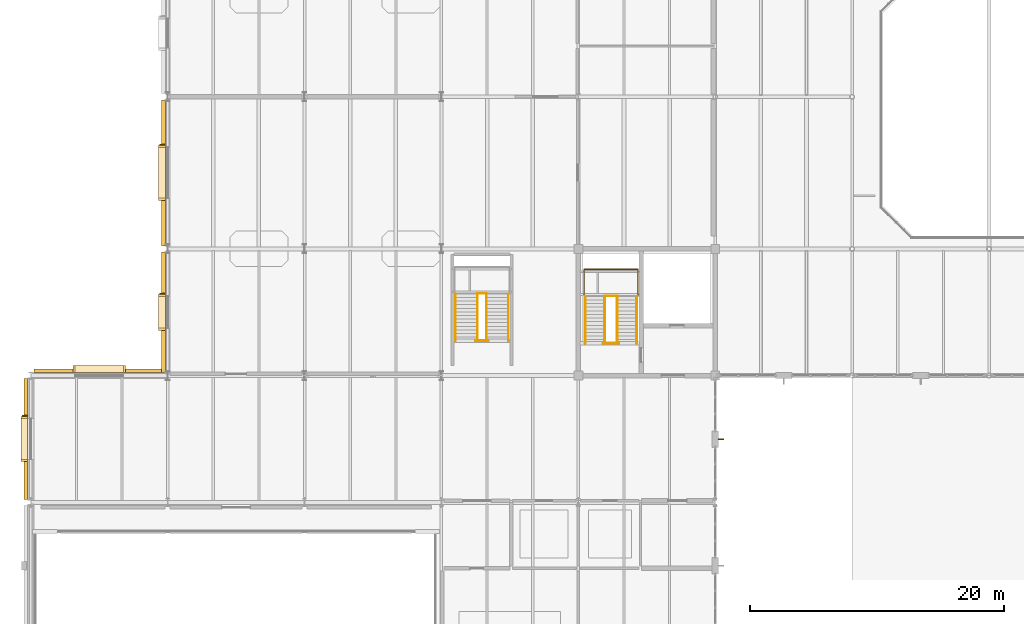
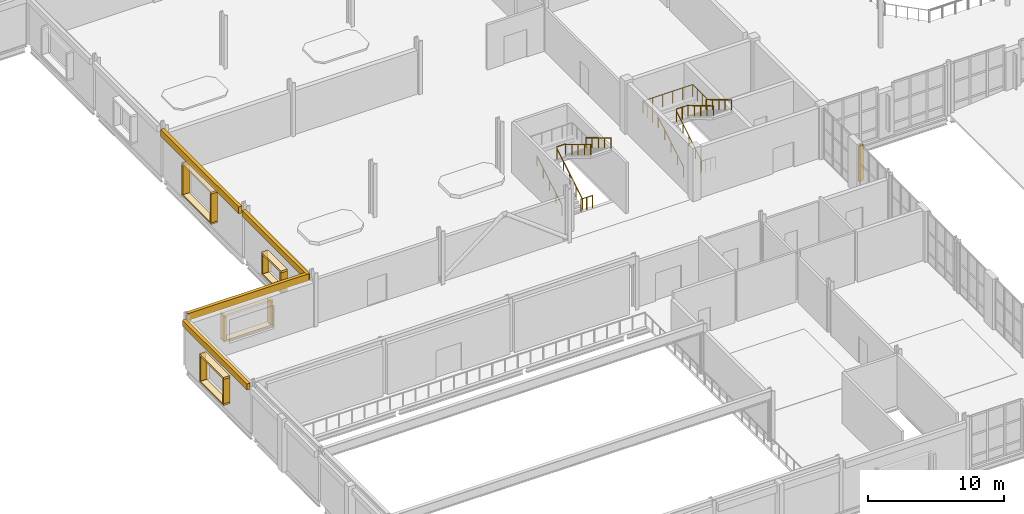
# One storey, part 83 of 92: 20 coverings, 13 railings, 4 shading devices.
"""IFC4 building model written with IfcOpenShell, lengths in metres."""

from ifc_helpers import new_model, si_unit, direction, frame, origin, origin_2d, place, context, subcontext, project, spatial, rectangle, circle, extrude, material, layer, layer_set, type_object, element, save


model = new_model("IFC4")

# Units and contexts
model_context = context("Model", 3, precision=1e-05, world=origin(), true_north=direction((0.0, 1.0)))
body_context = subcontext(model_context, "Body", "Model", "MODEL_VIEW")
ifc_project = project(units=[si_unit("LENGTHUNIT", "METRE"), si_unit("AREAUNIT", "SQUARE_METRE"), si_unit("VOLUMEUNIT", "CUBIC_METRE"), si_unit("PLANEANGLEUNIT", "RADIAN"), si_unit("MASSUNIT", "GRAM", prefix="KILO")], contexts=[model_context])

# Site, building, storey
site_placement = place(None, origin())
site = spatial("IfcSite", under=ifc_project, at=site_placement, CompositionType="ELEMENT")
building_placement = place(site_placement, origin())
building = spatial("IfcBuilding", under=site, at=building_placement, Name="Tasgan Crest Museum", CompositionType="ELEMENT")
storey_placement = place(building_placement, frame((0.0, 0.0, 4.800048828125)))
storey = spatial("IfcBuildingStorey", under=building, at=storey_placement, Name="L01", CompositionType="ELEMENT", Elevation=4.800048828125)

# Coverings
ifc_material_1 = material(Name="Honed Rose-Red Mongolian Granite", Category="masonry")
ifc_layer_1 = layer(ifc_material_1, 0.0400390625, Name="COV-GRANITE-ROSE")
ifc_layer_set_1 = layer_set([ifc_layer_1], Name="Honed Rose-Red Mongolian Granite")
covering_type_1 = type_object("IfcCoveringType", Name="COV-GRANITE-ROSE", PredefinedType="CLADDING", material=ifc_layer_set_1)
covering_1_placement = place(storey_placement, frame((-0.3798828125, 35.0, 3.9599609375), z_axis=(0.0, 0.0, 1.0), x_axis=(0.0, -1.0, 0.0)))
element("IfcCovering", 1, at=covering_1_placement, inside=storey, type_object=covering_type_1, Name="Stone frieze cladding L01", PredefinedType="CLADDING", context=body_context, shape_type="SweptSolid", body=[
    extrude(rectangle(XDim=9.510009765625, YDim=0.280029296875, at=origin_2d()), origin(), (0.0, 0.0, 1.0), 0.550048828125),
])
for number, where, z_axis, x_axis, name in (
    (2, (-0.514892578125, 36.68994140625, 1.0), (0.0, 0.0, 1.0), (0.0, -1.0, 0.0), "Deep window reveal jamb L01-021"),
    (3, (-0.514892578125, 33.31005859375, 1.0), (0.0, 0.0, 1.0), (0.0, -1.0, 0.0), "Deep window reveal jamb L01-021"),
):
    element("IfcCovering", number, at=place(storey_placement, frame(where, z_axis=z_axis, x_axis=x_axis)), inside=storey, type_object=covering_type_1, Name=name, PredefinedType="CLADDING", context=body_context, shape_type="SweptSolid", body=[
        extrude(rectangle(XDim=0.179931640625, YDim=0.550048828125, at=origin_2d()), origin(), (0.0, 0.0, 1.0), 2.199951171875),
    ])
for number, where, z_axis, x_axis, name in (
    (4, (10.3349609375, 58.090087890625, 1.0), (0.0, 0.0, 1.0), (0.0, -1.0, 0.0), "Deep window reveal jamb L01-034"),
    (5, (10.3349609375, 53.909912109375, 1.0), (0.0, 0.0, 1.0), (0.0, -1.0, 0.0), "Deep window reveal jamb L01-034"),
):
    element("IfcCovering", number, at=place(storey_placement, frame(where, z_axis=z_axis, x_axis=x_axis)), inside=storey, type_object=covering_type_1, Name=name, PredefinedType="CLADDING", context=body_context, shape_type="SweptSolid", body=[
        extrude(rectangle(XDim=0.179931640625, YDim=0.550048828125, at=origin_2d()), origin(), (0.0, 0.0, 1.0), 2.60009765625),
    ])
for number, where, z_axis, x_axis, name in (
    (6, (10.3349609375, 46.340087890625, 1.0), (0.0, 0.0, 1.0), (0.0, -1.0, 0.0), "Deep window reveal jamb L01-035"),
    (7, (10.3349609375, 43.659912109375, 1.0), (0.0, 0.0, 1.0), (0.0, -1.0, 0.0), "Deep window reveal jamb L01-035"),
):
    element("IfcCovering", number, at=place(storey_placement, frame(where, z_axis=z_axis, x_axis=x_axis)), inside=storey, type_object=covering_type_1, Name=name, PredefinedType="CLADDING", context=body_context, shape_type="SweptSolid", body=[
        extrude(rectangle(XDim=0.179931640625, YDim=0.550048828125, at=origin_2d()), origin(), (0.0, 0.0, 1.0), 1.699951171875),
    ])
covering_2_placement = place(storey_placement, frame((5.39990234375, 40.3798828125, 3.888916015625), z_axis=(0.0, 0.0, 1.0), x_axis=(-1.0, 0.0, 0.0)))
element("IfcCovering", 8, at=covering_2_placement, inside=storey, type_object=covering_type_1, Name="Stone frieze cladding L01", PredefinedType="CLADDING", context=body_context, shape_type="SweptSolid", body=[
    extrude(rectangle(XDim=10.31005859375, YDim=0.280029296875, at=origin_2d()), origin(), (0.0, 0.0, 1.0), 0.62109375),
])
for number, where, z_axis, x_axis, name in (
    (9, (7.389892578125, 40.514892578125, 1.0), (0.0, 0.0, 1.0), (-1.0, 0.0, 0.0), "Deep window reveal jamb L01-036"),
    (10, (3.409912109375, 40.514892578125, 1.0), (0.0, 0.0, 1.0), (-1.0, 0.0, 0.0), "Deep window reveal jamb L01-036"),
):
    element("IfcCovering", number, at=place(storey_placement, frame(where, z_axis=z_axis, x_axis=x_axis)), inside=storey, type_object=covering_type_1, Name=name, PredefinedType="CLADDING", context=body_context, shape_type="SweptSolid", body=[
        extrude(rectangle(XDim=0.179931640625, YDim=0.550048828125, at=origin_2d()), origin(), (0.0, 0.0, 1.0), 2.10009765625),
    ])
ifc_material_2 = material(Name="Honed Buff Limestone", Category="masonry")
ifc_layer_2 = layer(ifc_material_2, 0.044921875, Name="COV-LIMESTONE-BUFF")
ifc_layer_set_2 = layer_set([ifc_layer_2], Name="Honed Buff Limestone")
covering_type_2 = type_object("IfcCoveringType", Name="COV-LIMESTONE-BUFF", PredefinedType="CLADDING", material=ifc_layer_set_2)
covering_3_placement = place(storey_placement, frame((-0.514892578125, 35.0, 3.2001953125), z_axis=(0.0, 0.0, 1.0), x_axis=(0.0, -1.0, 0.0)))
element("IfcCovering", 11, at=covering_3_placement, inside=storey, type_object=covering_type_2, Name="Deep window hood L01-021", PredefinedType="CLADDING", context=body_context, shape_type="SweptSolid", body=[
    extrude(rectangle(XDim=3.56005859375, YDim=0.550048828125, at=origin_2d()), origin(), (0.0, 0.0, 1.0), 0.179931640625),
])
covering_4_placement = place(storey_placement, frame((-0.514892578125, 35.0, 0.85986328125), z_axis=(0.0, 0.0, 1.0), x_axis=(0.0, -1.0, 0.0)))
element("IfcCovering", 12, at=covering_4_placement, inside=storey, type_object=covering_type_2, Name="Deep window sill L01-021", PredefinedType="CLADDING", context=body_context, shape_type="SweptSolid", body=[
    extrude(rectangle(XDim=3.56005859375, YDim=0.550048828125, at=origin_2d()), origin(), (0.0, 0.0, 1.0), 0.139892578125),
])
covering_5_placement = place(storey_placement, frame((10.469970703125, 56.0, 3.888916015625), z_axis=(0.0, 0.0, 1.0), x_axis=(0.0, -1.0, 0.0)))
element("IfcCovering", 13, at=covering_5_placement, inside=storey, type_object=covering_type_2, Name="Stone frieze cladding L01", PredefinedType="CLADDING", context=body_context, shape_type="SweptSolid", body=[
    extrude(rectangle(XDim=11.510009765625, YDim=0.280029296875, at=origin_2d()), origin(), (0.0, 0.0, 1.0), 0.62109375),
])
covering_6_placement = place(storey_placement, frame((10.3349609375, 56.0, 3.60009765625), z_axis=(0.0, 0.0, 1.0), x_axis=(0.0, -1.0, 0.0)))
element("IfcCovering", 14, at=covering_6_placement, inside=storey, type_object=covering_type_2, Name="Deep window hood L01-034", PredefinedType="CLADDING", context=body_context, shape_type="SweptSolid", body=[
    extrude(rectangle(XDim=4.360107421875, YDim=0.550048828125, at=origin_2d()), origin(), (0.0, 0.0, 1.0), 0.179931640625),
])
covering_7_placement = place(storey_placement, frame((10.3349609375, 56.0, 0.85986328125), z_axis=(0.0, 0.0, 1.0), x_axis=(0.0, -1.0, 0.0)))
element("IfcCovering", 15, at=covering_7_placement, inside=storey, type_object=covering_type_2, Name="Deep window sill L01-034", PredefinedType="CLADDING", context=body_context, shape_type="SweptSolid", body=[
    extrude(rectangle(XDim=4.360107421875, YDim=0.550048828125, at=origin_2d()), origin(), (0.0, 0.0, 1.0), 0.139892578125),
])
covering_8_placement = place(storey_placement, frame((10.469970703125, 45.0, 3.9599609375), z_axis=(0.0, 0.0, 1.0), x_axis=(0.0, -1.0, 0.0)))
element("IfcCovering", 16, at=covering_8_placement, inside=storey, type_object=covering_type_2, Name="Stone frieze cladding L01", PredefinedType="CLADDING", context=body_context, shape_type="SweptSolid", body=[
    extrude(rectangle(XDim=9.510009765625, YDim=0.280029296875, at=origin_2d()), origin(), (0.0, 0.0, 1.0), 0.550048828125),
])
covering_9_placement = place(storey_placement, frame((10.3349609375, 45.0, 2.7001953125), z_axis=(0.0, 0.0, 1.0), x_axis=(0.0, -1.0, 0.0)))
element("IfcCovering", 17, at=covering_9_placement, inside=storey, type_object=covering_type_2, Name="Deep window hood L01-035", PredefinedType="CLADDING", context=body_context, shape_type="SweptSolid", body=[
    extrude(rectangle(XDim=2.860107421875, YDim=0.550048828125, at=origin_2d()), origin(), (0.0, 0.0, 1.0), 0.179931640625),
])
covering_10_placement = place(storey_placement, frame((10.3349609375, 45.0, 0.85986328125), z_axis=(0.0, 0.0, 1.0), x_axis=(0.0, -1.0, 0.0)))
element("IfcCovering", 18, at=covering_10_placement, inside=storey, type_object=covering_type_2, Name="Deep window sill L01-035", PredefinedType="CLADDING", context=body_context, shape_type="SweptSolid", body=[
    extrude(rectangle(XDim=2.860107421875, YDim=0.550048828125, at=origin_2d()), origin(), (0.0, 0.0, 1.0), 0.139892578125),
])
covering_11_placement = place(storey_placement, frame((5.39990234375, 40.514892578125, 3.10009765625), z_axis=(0.0, 0.0, 1.0), x_axis=(-1.0, 0.0, 0.0)))
element("IfcCovering", 19, at=covering_11_placement, inside=storey, type_object=covering_type_2, Name="Deep window hood L01-036", PredefinedType="CLADDING", context=body_context, shape_type="SweptSolid", body=[
    extrude(rectangle(XDim=4.159912109375, YDim=0.550048828125, at=origin_2d()), origin(), (0.0, 0.0, 1.0), 0.179931640625),
])
covering_12_placement = place(storey_placement, frame((5.39990234375, 40.514892578125, 0.85986328125), z_axis=(0.0, 0.0, 1.0), x_axis=(-1.0, 0.0, 0.0)))
element("IfcCovering", 20, at=covering_12_placement, inside=storey, type_object=covering_type_2, Name="Deep window sill L01-036", PredefinedType="CLADDING", context=body_context, shape_type="SweptSolid", body=[
    extrude(rectangle(XDim=4.159912109375, YDim=0.550048828125, at=origin_2d()), origin(), (0.0, 0.0, 1.0), 0.139892578125),
])

# Railings
ifc_material_3 = material(Name="Brushed Bronze and Toughened Glass", Category="glass")
railing_type_1 = type_object("IfcRailingType", Name="RL-INT-GUARD-1120", PredefinedType="GUARDRAIL", material=ifc_material_3)
railing_1_placement = place(storey_placement, frame((45.139892578125, 42.52001953125, 0.0)))
element("IfcRailing", 21, at=railing_1_placement, inside=storey, type_object=railing_type_1, Name="South-West Foyer & Paleontology Core floor slot guard L01", PredefinedType="GUARDRAIL", context=body_context, shape_type="SweptSolid", body=[
    extrude(circle(Radius=0.02392578125, at=origin_2d()), frame((0.0, 0.0, 1.09619140625), z_axis=(1.0, 0.0, 0.0), x_axis=(0.0, 1.0, 0.0)), (0.0, 0.0, 1.0), 1.27001953125),
    extrude(circle(Radius=0.02099609375, at=origin_2d()), origin(), (0.0, 0.0, 1.0), 1.072021484375),
    extrude(circle(Radius=0.02099609375, at=origin_2d()), frame((0.42333984375, 0.0, 0.0)), (0.0, 0.0, 1.0), 1.072021484375),
    extrude(circle(Radius=0.02099609375, at=origin_2d()), frame((0.8466796875, 0.0, 0.0)), (0.0, 0.0, 1.0), 1.072021484375),
    extrude(circle(Radius=0.02099609375, at=origin_2d()), frame((1.27001953125, 0.0, 0.0)), (0.0, 0.0, 1.0), 1.072021484375),
])
railing_2_placement = place(storey_placement, frame((45.280029296875, 46.27490234375, 2.39990234375)))
element("IfcRailing", 22, at=railing_2_placement, inside=storey, type_object=railing_type_1, Name="Stair half-landing well guard ST-SW-L01 T1", PredefinedType="GUARDRAIL", context=body_context, shape_type="SweptSolid", body=[
    extrude(circle(Radius=0.02392578125, at=origin_2d()), frame((0.0, 0.0, 1.09619140625), z_axis=(1.0, 0.0, 0.0), x_axis=(0.0, 1.0, 0.0)), (0.0, 0.0, 1.0), 0.989990234375),
    extrude(circle(Radius=0.02099609375, at=origin_2d()), origin(), (0.0, 0.0, 1.0), 1.072021484375),
    extrude(circle(Radius=0.02099609375, at=origin_2d()), frame((0.4951171875, 0.0, 0.0)), (0.0, 0.0, 1.0), 1.072021484375),
    extrude(circle(Radius=0.02099609375, at=origin_2d()), frame((0.989990234375, 0.0, 0.0)), (0.0, 0.0, 1.0), 1.072021484375),
])
railing_3_placement = place(storey_placement, frame((43.659912109375, 46.294921875, 2.39990234375)))
element("IfcRailing", 23, at=railing_3_placement, inside=storey, type_object=railing_type_1, Name="Stair half-landing perimeter guard ST-SW-L01 T1", PredefinedType="GUARDRAIL", context=body_context, shape_type="SweptSolid", body=[
    extrude(circle(Radius=0.02392578125, at=origin_2d()), frame((0.0, 0.0, 1.09619140625), z_axis=(0.0, 1.0, 0.0), x_axis=(-1.0, 0.0, 0.0)), (0.0, 0.0, 1.0), 2.10009765625),
    extrude(circle(Radius=0.02392578125, at=origin_2d()), frame((0.0, 2.10009765625, 1.09619140625), z_axis=(1.0, 0.0, 0.0), x_axis=(0.0, 1.0, 0.0)), (0.0, 0.0, 1.0), 4.22998046875),
    extrude(circle(Radius=0.02392578125, at=origin_2d()), frame((4.22998046875, 2.10009765625, 1.09619140625), z_axis=(0.0, -1.0, 0.0), x_axis=(1.0, 0.0, 0.0)), (0.0, 0.0, 1.0), 2.10009765625),
    extrude(circle(Radius=0.02099609375, at=origin_2d()), origin(), (0.0, 0.0, 1.0), 1.072021484375),
    extrude(circle(Radius=0.02099609375, at=origin_2d()), frame((0.0, 0.699951171875, 0.0)), (0.0, 0.0, 1.0), 1.072021484375),
    extrude(circle(Radius=0.02099609375, at=origin_2d()), frame((0.0, 1.400146484375, 0.0)), (0.0, 0.0, 1.0), 1.072021484375),
    extrude(circle(Radius=0.02099609375, at=origin_2d()), frame((0.0, 2.10009765625, 0.0)), (0.0, 0.0, 1.0), 1.072021484375),
    extrude(circle(Radius=0.02099609375, at=origin_2d()), frame((0.845947265625, 2.10009765625, 0.0)), (0.0, 0.0, 1.0), 1.072021484375),
    extrude(circle(Radius=0.02099609375, at=origin_2d()), frame((1.69189453125, 2.10009765625, 0.0)), (0.0, 0.0, 1.0), 1.072021484375),
    extrude(circle(Radius=0.02099609375, at=origin_2d()), frame((2.5380859375, 2.10009765625, 0.0)), (0.0, 0.0, 1.0), 1.072021484375),
    extrude(circle(Radius=0.02099609375, at=origin_2d()), frame((3.384033203125, 2.10009765625, 0.0)), (0.0, 0.0, 1.0), 1.072021484375),
    extrude(circle(Radius=0.02099609375, at=origin_2d()), frame((4.22998046875, 2.10009765625, 0.0)), (0.0, 0.0, 1.0), 1.072021484375),
    extrude(circle(Radius=0.02099609375, at=origin_2d()), frame((4.22998046875, 1.400146484375, 0.0)), (0.0, 0.0, 1.0), 1.072021484375),
    extrude(circle(Radius=0.02099609375, at=origin_2d()), frame((4.22998046875, 0.699951171875, 0.0)), (0.0, 0.0, 1.0), 1.072021484375),
    extrude(circle(Radius=0.02099609375, at=origin_2d()), frame((4.22998046875, 0.0, 0.0)), (0.0, 0.0, 1.0), 1.072021484375),
])
railing_4_placement = place(storey_placement, frame((35.10009765625, 42.719970703125, 0.0)))
element("IfcRailing", 24, at=railing_4_placement, inside=storey, type_object=railing_type_1, Name="GALP floor slot guard L01", PredefinedType="GUARDRAIL", context=body_context, shape_type="SweptSolid", body=[
    extrude(circle(Radius=0.02392578125, at=origin_2d()), frame((0.0, 0.0, 1.09619140625), z_axis=(1.0, 0.0, 0.0), x_axis=(0.0, 1.0, 0.0)), (0.0, 0.0, 1.0), 1.0),
    extrude(circle(Radius=0.02099609375, at=origin_2d()), origin(), (0.0, 0.0, 1.0), 1.072021484375),
    extrude(circle(Radius=0.02099609375, at=origin_2d()), frame((0.5, 0.0, 0.0)), (0.0, 0.0, 1.0), 1.072021484375),
    extrude(circle(Radius=0.02099609375, at=origin_2d()), frame((1.0, 0.0, 0.0)), (0.0, 0.0, 1.0), 1.072021484375),
])
railing_5_placement = place(storey_placement, frame((35.239990234375, 46.47509765625, 2.39990234375)))
element("IfcRailing", 25, at=railing_5_placement, inside=storey, type_object=railing_type_1, Name="Stair half-landing well guard ST-GP-L01 T1", PredefinedType="GUARDRAIL", context=body_context, shape_type="SweptSolid", body=[
    extrude(circle(Radius=0.02392578125, at=origin_2d()), frame((0.0, 0.0, 1.09619140625), z_axis=(1.0, 0.0, 0.0), x_axis=(0.0, 1.0, 0.0)), (0.0, 0.0, 1.0), 0.719970703125),
    extrude(circle(Radius=0.02099609375, at=origin_2d()), origin(), (0.0, 0.0, 1.0), 1.072021484375),
    extrude(circle(Radius=0.02099609375, at=origin_2d()), frame((0.719970703125, 0.0, 0.0)), (0.0, 0.0, 1.0), 1.072021484375),
])
ifc_material_4 = material(Name="Brushed Stainless Steel", Category="steel")
railing_type_2 = type_object("IfcRailingType", Name="RL-STAIR-HAND-920", PredefinedType="HANDRAIL", material=ifc_material_4)
for number, where, name in (
    (26, (43.739990234375, 42.550048828125, 0.17138671875), "Stair handrail STAIR-CORE-SW-L01-F1 L"),
    (27, (45.280029296875, 42.550048828125, 0.17138671875), "Stair handrail STAIR-CORE-SW-L01-F1 R"),
):
    element("IfcRailing", number, at=place(storey_placement, frame(where)), inside=storey, type_object=railing_type_2, Name=name, PredefinedType="HANDRAIL", context=body_context, shape_type="SweptSolid", body=[
        extrude(circle(Radius=0.02392578125, at=origin_2d()), frame((0.0, 0.0, 0.89599609375), z_axis=(0.0, 0.856919398105, 0.515450429384), x_axis=(-1.0, 0.0, 0.0)), (0.0, 0.0, 1.0), 4.323486328125),
        extrude(circle(Radius=0.02099609375, at=origin_2d()), origin(), (0.0, 0.0, 1.0), 0.871826171875),
        extrude(circle(Radius=0.02099609375, at=origin_2d()), frame((0.0, 0.92626953125, 0.55712890625)), (0.0, 0.0, 1.0), 0.871826171875),
        extrude(circle(Radius=0.02099609375, at=origin_2d()), frame((0.0, 1.8525390625, 1.1142578125)), (0.0, 0.0, 1.0), 0.871826171875),
        extrude(circle(Radius=0.02099609375, at=origin_2d()), frame((0.0, 2.778564453125, 1.67138671875)), (0.0, 0.0, 1.0), 0.871826171875),
        extrude(circle(Radius=0.02099609375, at=origin_2d()), frame((0.0, 3.704833984375, 2.228515625)), (0.0, 0.0, 1.0), 0.871826171875),
    ])
for number, where, name in (
    (28, (47.81005859375, 46.2548828125, 2.5712890625), "Stair handrail STAIR-CORE-SW-L01-F2 L"),
    (29, (46.27001953125, 46.2548828125, 2.5712890625), "Stair handrail STAIR-CORE-SW-L01-F2 R"),
):
    element("IfcRailing", number, at=place(storey_placement, frame(where)), inside=storey, type_object=railing_type_2, Name=name, PredefinedType="HANDRAIL", context=body_context, shape_type="SweptSolid", body=[
        extrude(circle(Radius=0.02392578125, at=origin_2d()), frame((0.0, 0.0, 0.89599609375), z_axis=(0.0, -0.856894455432, 0.515491893485), x_axis=(1.0, 0.0, 0.0)), (0.0, 0.0, 1.0), 4.323486328125),
        extrude(circle(Radius=0.02099609375, at=origin_2d()), origin(), (0.0, 0.0, 1.0), 0.871826171875),
        extrude(circle(Radius=0.02099609375, at=origin_2d()), frame((0.0, -0.92626953125, 0.55712890625)), (0.0, 0.0, 1.0), 0.871826171875),
        extrude(circle(Radius=0.02099609375, at=origin_2d()), frame((0.0, -1.8525390625, 1.1142578125)), (0.0, 0.0, 1.0), 0.871826171875),
        extrude(circle(Radius=0.02099609375, at=origin_2d()), frame((0.0, -2.778564453125, 1.671630859375)), (0.0, 0.0, 1.0), 0.871826171875),
        extrude(circle(Radius=0.02099609375, at=origin_2d()), frame((0.0, -3.704833984375, 2.228759765625)), (0.0, 0.0, 1.0), 0.871826171875),
    ])
for number, where, name in (
    (30, (33.52001953125, 42.75, 0.17138671875), "Stair handrail STAIR-GALP-L01-F1 L"),
    (31, (35.239990234375, 42.75, 0.17138671875), "Stair handrail STAIR-GALP-L01-F1 R"),
):
    element("IfcRailing", number, at=place(storey_placement, frame(where)), inside=storey, type_object=railing_type_2, Name=name, PredefinedType="HANDRAIL", context=body_context, shape_type="SweptSolid", body=[
        extrude(circle(Radius=0.02392578125, at=origin_2d()), frame((0.0, 0.0, 0.89599609375), z_axis=(0.0, 0.856934400257, 0.515425487977), x_axis=(-1.0, 0.0, 0.0)), (0.0, 0.0, 1.0), 4.32373046875),
        extrude(circle(Radius=0.02099609375, at=origin_2d()), origin(), (0.0, 0.0, 1.0), 0.871826171875),
        extrude(circle(Radius=0.02099609375, at=origin_2d()), frame((0.0, 0.92626953125, 0.55712890625)), (0.0, 0.0, 1.0), 0.871826171875),
        extrude(circle(Radius=0.02099609375, at=origin_2d()), frame((0.0, 1.8525390625, 1.1142578125)), (0.0, 0.0, 1.0), 0.871826171875),
        extrude(circle(Radius=0.02099609375, at=origin_2d()), frame((0.0, 2.77880859375, 1.67138671875)), (0.0, 0.0, 1.0), 0.871826171875),
        extrude(circle(Radius=0.02099609375, at=origin_2d()), frame((0.0, 3.705078125, 2.228515625)), (0.0, 0.0, 1.0), 0.871826171875),
    ])
for number, where, name in (
    (32, (37.679931640625, 46.455078125, 2.5712890625), "Stair handrail STAIR-GALP-L01-F2 L"),
    (33, (35.9599609375, 46.455078125, 2.5712890625), "Stair handrail STAIR-GALP-L01-F2 R"),
):
    element("IfcRailing", number, at=place(storey_placement, frame(where)), inside=storey, type_object=railing_type_2, Name=name, PredefinedType="HANDRAIL", context=body_context, shape_type="SweptSolid", body=[
        extrude(circle(Radius=0.02392578125, at=origin_2d()), frame((0.0, 0.0, 0.89599609375), z_axis=(0.0, -0.856909459561, 0.515466951525), x_axis=(1.0, 0.0, 0.0)), (0.0, 0.0, 1.0), 4.32373046875),
        extrude(circle(Radius=0.02099609375, at=origin_2d()), origin(), (0.0, 0.0, 1.0), 0.871826171875),
        extrude(circle(Radius=0.02099609375, at=origin_2d()), frame((0.0, -0.92626953125, 0.55712890625)), (0.0, 0.0, 1.0), 0.871826171875),
        extrude(circle(Radius=0.02099609375, at=origin_2d()), frame((0.0, -1.8525390625, 1.1142578125)), (0.0, 0.0, 1.0), 0.871826171875),
        extrude(circle(Radius=0.02099609375, at=origin_2d()), frame((0.0, -2.77880859375, 1.671630859375)), (0.0, 0.0, 1.0), 0.871826171875),
        extrude(circle(Radius=0.02099609375, at=origin_2d()), frame((0.0, -3.705078125, 2.228759765625)), (0.0, 0.0, 1.0), 0.871826171875),
    ])

# Shading devices
ifc_material_5 = material(Name="Anodised Bronze Aluminium", Category="aluminium")
shading_device_type = type_object("IfcShadingDeviceType", Name="SH-FIN-V400", PredefinedType="JALOUSIE", material=ifc_material_5)
shading_device_1_placement = place(storey_placement, frame((-0.449951171875, 36.820068359375, 0.89990234375), z_axis=(0.0, 0.0, 1.0), x_axis=(0.0, -1.0, 0.0)))
element("IfcShadingDevice", 34, at=shading_device_1_placement, inside=storey, type_object=shading_device_type, Name="Solar shading fin L01-021", PredefinedType="JALOUSIE", context=body_context, shape_type="SweptSolid", body=[
    extrude(rectangle(XDim=0.080078125, YDim=0.419921875, at=origin_2d()), origin(), (0.0, 0.0, 1.0), 2.39990234375),
])
shading_device_2_placement = place(storey_placement, frame((54.449951171875, 35.0, 0.68017578125), z_axis=(0.0, 0.0, 1.0), x_axis=(0.0, 1.0, 0.0)))
element("IfcShadingDevice", 35, at=shading_device_2_placement, inside=storey, type_object=shading_device_type, Name="Facade pier solar fin L01", PredefinedType="JALOUSIE", context=body_context, shape_type="SweptSolid", body=[
    extrude(rectangle(XDim=0.080078125, YDim=0.419921875, at=origin_2d()), origin(), (0.0, 0.0, 1.0), 3.199951171875),
])
shading_device_3_placement = place(storey_placement, frame((10.39990234375, 58.219970703125, 0.89990234375), z_axis=(0.0, 0.0, 1.0), x_axis=(0.0, -1.0, 0.0)))
element("IfcShadingDevice", 36, at=shading_device_3_placement, inside=storey, type_object=shading_device_type, Name="Solar shading fin L01-034", PredefinedType="JALOUSIE", context=body_context, shape_type="SweptSolid", body=[
    extrude(rectangle(XDim=0.080078125, YDim=0.419921875, at=origin_2d()), origin(), (0.0, 0.0, 1.0), 2.800048828125),
])
shading_device_4_placement = place(storey_placement, frame((10.39990234375, 46.469970703125, 0.89990234375), z_axis=(0.0, 0.0, 1.0), x_axis=(0.0, -1.0, 0.0)))
element("IfcShadingDevice", 37, at=shading_device_4_placement, inside=storey, type_object=shading_device_type, Name="Solar shading fin L01-035", PredefinedType="JALOUSIE", context=body_context, shape_type="SweptSolid", body=[
    extrude(rectangle(XDim=0.080078125, YDim=0.419921875, at=origin_2d()), origin(), (0.0, 0.0, 1.0), 1.89990234375),
])

save(model, "model.ifc")
